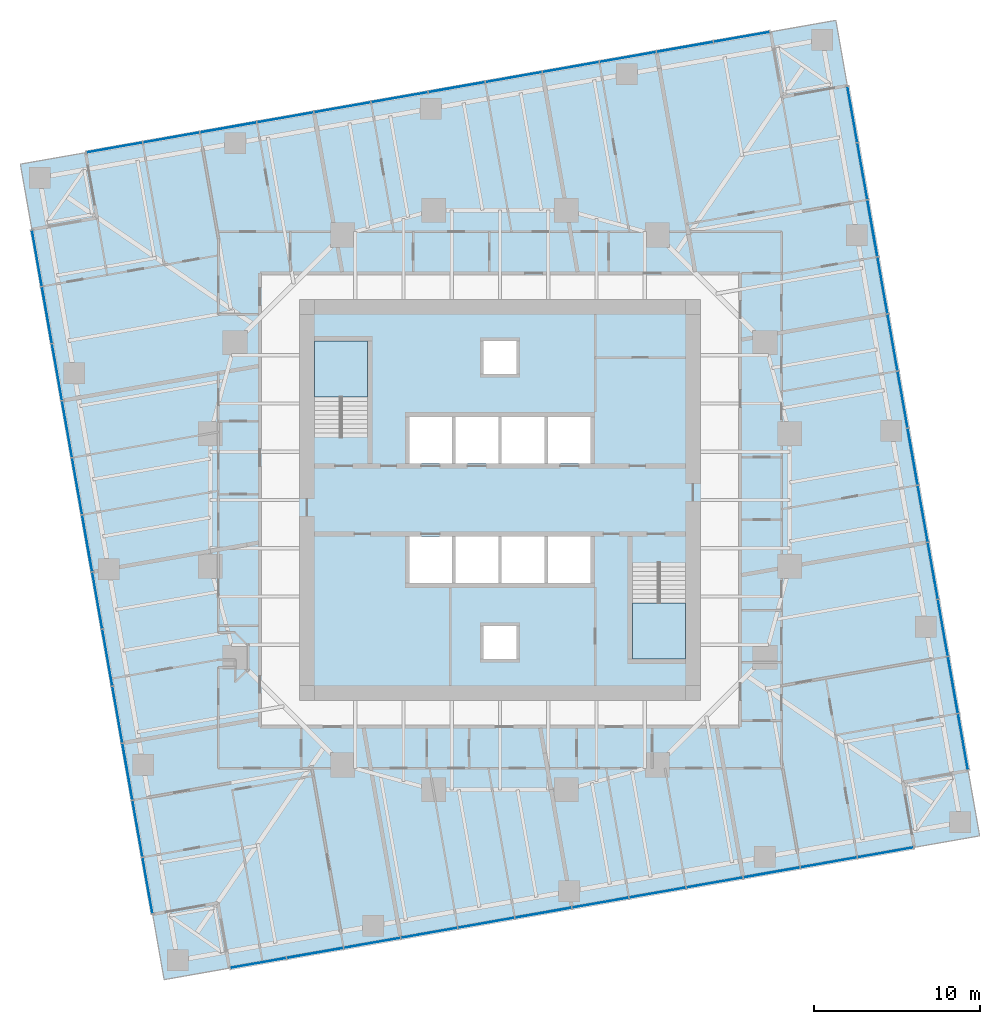
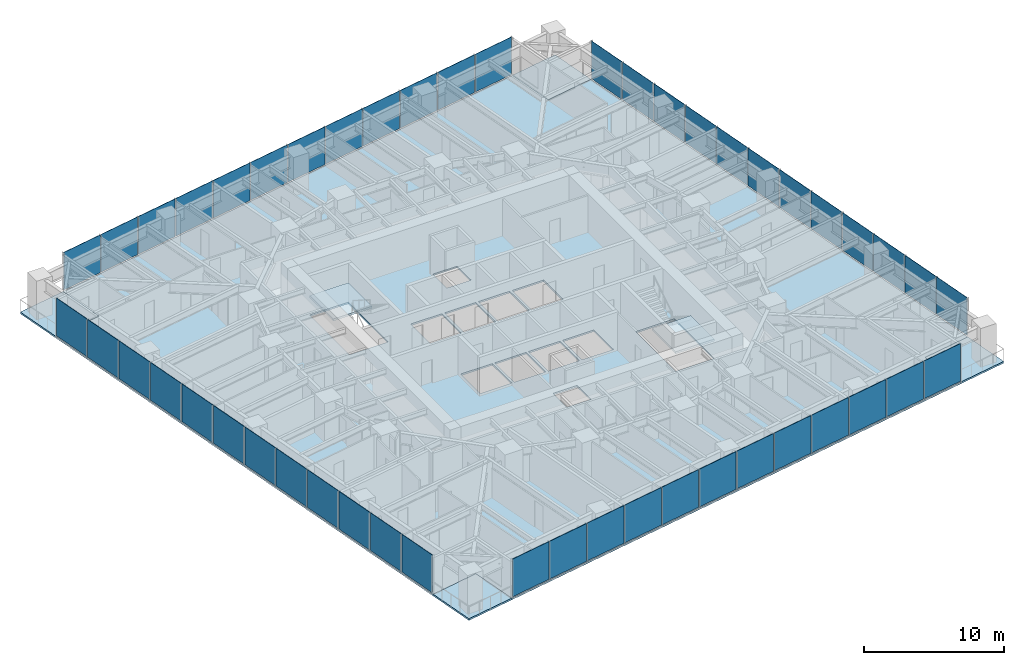
# One storey, part 7 of 14: 48 plates, 7 slabs, 6 elements without a shape of their own.
"""IFC4 building model written with IfcOpenShell, lengths in metres."""

from ifc_helpers import new_model, si_unit, direction, frame, origin, origin_2d, place, context, subcontext, project, spatial, polyline, rectangle, outline, extrude, material, layer, layer_set, type_object, element, aggregate, save


model = new_model("IFC4")

# Units and contexts
model_context = context("Model", 3, precision=1e-05, world=origin(), true_north=direction((0.0, 1.0)))
body_context = subcontext(model_context, "Body", "Model", "MODEL_VIEW")
ifc_project = project(units=[si_unit("LENGTHUNIT", "METRE"), si_unit("AREAUNIT", "SQUARE_METRE"), si_unit("VOLUMEUNIT", "CUBIC_METRE"), si_unit("PLANEANGLEUNIT", "RADIAN"), si_unit("MASSUNIT", "GRAM", prefix="KILO")], contexts=[model_context])

# Site, building, storey
site_placement = place(None, origin())
site = spatial("IfcSite", under=ifc_project, at=site_placement, CompositionType="ELEMENT")
building_placement = place(site_placement, origin())
building = spatial("IfcBuilding", under=site, at=building_placement, Name="Torsade Residences", CompositionType="ELEMENT")
storey_placement = place(building_placement, frame((0.0, 0.0, 96.39990234375)))
storey = spatial("IfcBuildingStorey", under=building, at=storey_placement, Name="L26", CompositionType="ELEMENT", Elevation=96.39990234375)

# Slab
ifc_material_1 = material(Name="Concrete 40 MPa", Category="concrete")
ifc_layer_1 = layer(ifc_material_1, 0.14990234375)
ifc_layer_set_1 = layer_set([ifc_layer_1], Name="Concrete 40 MPa")
slab_type_1 = type_object("IfcSlabType", Name="COMPOSITE FLOOR SLAB 150", PredefinedType="FLOOR", material=ifc_layer_set_1)
slab_1_placement = place(storey_placement, frame((0.0, 0.0, -0.14990234375)))
element("IfcSlab", 1, at=slab_1_placement, inside=storey, type_object=slab_type_1, Name="Floor slab L26", PredefinedType="FLOOR", context=body_context, shape_type="SweptSolid", body=[
    extrude(outline(polyline([(23.66015625, 1.733154296875), (65.022216796875, 9.0263671875), (64.32763671875, 12.965576171875), (68.266845703125, 13.66015625), (60.9736328125, 55.022216796875), (57.034423828125, 54.32763671875), (56.33984375, 58.266845703125), (14.977783203125, 50.9736328125), (15.67236328125, 47.034423828125), (11.733154296875, 46.33984375), (19.0263671875, 4.977783203125), (22.965576171875, 5.67236328125), (23.66015625, 1.733154296875)]), holes=[polyline([(51.199951171875, 20.39990234375), (51.199951171875, 26.1201171875), (48.0, 26.1201171875), (48.0, 20.39990234375), (51.199951171875, 20.39990234375)]), polyline([(45.5, 27.800048828125), (42.89990234375, 27.800048828125), (42.89990234375, 25.0), (45.5, 25.0), (45.5, 27.800048828125)]), polyline([(45.5, 32.199951171875), (45.5, 35.0), (42.89990234375, 35.0), (42.89990234375, 32.199951171875), (45.5, 32.199951171875)]), polyline([(42.699951171875, 25.0), (42.699951171875, 27.800048828125), (40.10009765625, 27.800048828125), (40.10009765625, 25.0), (42.699951171875, 25.0)]), polyline([(42.699951171875, 32.199951171875), (42.699951171875, 35.0), (40.10009765625, 35.0), (40.10009765625, 32.199951171875), (42.699951171875, 32.199951171875)]), polyline([(41.0, 22.39990234375), (39.0, 22.39990234375), (39.0, 20.39990234375), (41.0, 20.39990234375), (41.0, 22.39990234375)]), polyline([(41.0, 37.60009765625), (41.0, 39.60009765625), (39.0, 39.60009765625), (39.0, 37.60009765625), (41.0, 37.60009765625)]), polyline([(39.89990234375, 25.0), (39.89990234375, 27.800048828125), (37.300048828125, 27.800048828125), (37.300048828125, 25.0), (39.89990234375, 25.0)]), polyline([(39.89990234375, 35.0), (37.300048828125, 35.0), (37.300048828125, 32.199951171875), (39.89990234375, 32.199951171875), (39.89990234375, 35.0)]), polyline([(37.10009765625, 27.800048828125), (34.5, 27.800048828125), (34.5, 25.0), (37.10009765625, 25.0), (37.10009765625, 27.800048828125)]), polyline([(37.10009765625, 32.199951171875), (37.10009765625, 35.0), (34.5, 35.0), (34.5, 32.199951171875), (37.10009765625, 32.199951171875)]), polyline([(32.0, 33.8798828125), (32.0, 39.60009765625), (28.800048828125, 39.60009765625), (28.800048828125, 33.8798828125), (32.0, 33.8798828125)])]), origin(), (0.0, 0.0, 1.0), 0.14990234375),
])

# Curtain wall, plates
ifc_material_2 = material(Name="Aluminium and glass", Category="aluminium")
curtain_wall_type = type_object("IfcCurtainWallType", Name="FRITTED GLASS CURTAIN WALL LOW ZONE", PredefinedType="NOTDEFINED", material=ifc_material_2)
curtain_wall_1_placement = place(storey_placement, origin())
curtain_wall_1 = element("IfcCurtainWall", 2, at=curtain_wall_1_placement, inside=storey, type_object=curtain_wall_type, Name="Curtain wall L26 face 1", PredefinedType="NOTDEFINED")
ifc_material_3 = material(Name="Laminated glass", Category="glass")
ifc_layer_2 = layer(ifc_material_3, 0.031982421875)
ifc_layer_set_2 = layer_set([ifc_layer_2], Name="Laminated glass")
plate_type_1 = type_object("IfcPlateType", Name="FRITTED GLASS PANEL", PredefinedType="CURTAIN_PANEL", material=ifc_layer_set_2)
plate_1_placement = place(storey_placement, frame((25.399658203125, 2.039794921875, 0.10009765625), z_axis=(0.0, 0.0, 1.0), x_axis=(0.984807750372, 0.173648192638, 0.0)))
plate_1 = element("IfcPlate", 3, at=plate_1_placement, type_object=plate_type_1, Name="Panel 1", PredefinedType="CURTAIN_PANEL", context=body_context, shape_type="SweptSolid", body=[
    extrude(rectangle(XDim=3.402587890625, YDim=0.031982421875, at=origin_2d()), origin(), (0.0, 0.0, 1.0), 3.300048828125),
])
plate_2_placement = place(storey_placement, frame((32.27734375, 3.252685546875, 0.10009765625), z_axis=(0.0, 0.0, 1.0), x_axis=(0.984807750372, 0.173648192638, 0.0)))
plate_2 = element("IfcPlate", 4, at=plate_2_placement, type_object=plate_type_1, Name="Panel 3", PredefinedType="CURTAIN_PANEL", context=body_context, shape_type="SweptSolid", body=[
    extrude(rectangle(XDim=3.43505859375, YDim=0.031982421875, at=origin_2d()), origin(), (0.0, 0.0, 1.0), 3.300048828125),
])
plate_3_placement = place(storey_placement, frame((35.72412109375, 3.8603515625, 0.10009765625), z_axis=(0.0, 0.0, 1.0), x_axis=(0.984807750372, 0.173648192638, 0.0)))
plate_3 = element("IfcPlate", 5, at=plate_3_placement, type_object=plate_type_1, Name="Panel 4", PredefinedType="CURTAIN_PANEL", context=body_context, shape_type="SweptSolid", body=[
    extrude(rectangle(XDim=3.43505859375, YDim=0.031982421875, at=origin_2d()), origin(), (0.0, 0.0, 1.0), 3.300048828125),
])
plate_4_placement = place(storey_placement, frame((39.1708984375, 4.46826171875, 0.10009765625), z_axis=(0.0, 0.0, 1.0), x_axis=(0.984807750372, 0.173648192638, 0.0)))
plate_4 = element("IfcPlate", 6, at=plate_4_placement, type_object=plate_type_1, Name="Panel 5", PredefinedType="CURTAIN_PANEL", context=body_context, shape_type="SweptSolid", body=[
    extrude(rectangle(XDim=3.43505859375, YDim=0.031982421875, at=origin_2d()), origin(), (0.0, 0.0, 1.0), 3.300048828125),
])
plate_5_placement = place(storey_placement, frame((46.064697265625, 5.68359375, 0.10009765625), z_axis=(0.0, 0.0, 1.0), x_axis=(0.984807750372, 0.173648192638, 0.0)))
plate_5 = element("IfcPlate", 7, at=plate_5_placement, type_object=plate_type_1, Name="Panel 7", PredefinedType="CURTAIN_PANEL", context=body_context, shape_type="SweptSolid", body=[
    extrude(rectangle(XDim=3.43505859375, YDim=0.031982421875, at=origin_2d()), origin(), (0.0, 0.0, 1.0), 3.300048828125),
])
plate_6_placement = place(storey_placement, frame((49.511474609375, 6.29150390625, 0.10009765625), z_axis=(0.0, 0.0, 1.0), x_axis=(0.984807750372, 0.173648192638, 0.0)))
plate_6 = element("IfcPlate", 8, at=plate_6_placement, type_object=plate_type_1, Name="Panel 8", PredefinedType="CURTAIN_PANEL", context=body_context, shape_type="SweptSolid", body=[
    extrude(rectangle(XDim=3.43505859375, YDim=0.031982421875, at=origin_2d()), origin(), (0.0, 0.0, 1.0), 3.300048828125),
])
plate_7_placement = place(storey_placement, frame((52.958251953125, 6.899169921875, 0.10009765625), z_axis=(0.0, 0.0, 1.0), x_axis=(0.984807750372, 0.173648192638, 0.0)))
plate_7 = element("IfcPlate", 9, at=plate_7_placement, type_object=plate_type_1, Name="Panel 9", PredefinedType="CURTAIN_PANEL", context=body_context, shape_type="SweptSolid", body=[
    extrude(rectangle(XDim=3.43505859375, YDim=0.031982421875, at=origin_2d()), origin(), (0.0, 0.0, 1.0), 3.300048828125),
])
plate_8_placement = place(storey_placement, frame((59.851806640625, 8.11474609375, 0.10009765625), z_axis=(0.0, 0.0, 1.0), x_axis=(0.984807750372, 0.173648192638, 0.0)))
plate_8 = element("IfcPlate", 10, at=plate_8_placement, type_object=plate_type_1, Name="Panel 11", PredefinedType="CURTAIN_PANEL", context=body_context, shape_type="SweptSolid", body=[
    extrude(rectangle(XDim=3.43505859375, YDim=0.031982421875, at=origin_2d()), origin(), (0.0, 0.0, 1.0), 3.300048828125),
])
plate_9_placement = place(storey_placement, frame((63.28271484375, 8.7197265625, 0.10009765625), z_axis=(0.0, 0.0, 1.0), x_axis=(0.984807750372, 0.173648192638, 0.0)))
plate_9 = element("IfcPlate", 11, at=plate_9_placement, type_object=plate_type_1, Name="Panel 12", PredefinedType="CURTAIN_PANEL", context=body_context, shape_type="SweptSolid", body=[
    extrude(rectangle(XDim=3.402587890625, YDim=0.031982421875, at=origin_2d()), origin(), (0.0, 0.0, 1.0), 3.300048828125),
])

curtain_wall_2_placement = place(storey_placement, origin())
curtain_wall_2 = element("IfcCurtainWall", 12, at=curtain_wall_2_placement, inside=storey, type_object=curtain_wall_type, Name="Curtain wall L26 face 4", PredefinedType="NOTDEFINED")
plate_10_placement = place(storey_placement, frame((67.960205078125, 15.399658203125, 0.10009765625), z_axis=(0.0, 0.0, 1.0), x_axis=(-0.173648192638, 0.984807750372, 0.0)))
plate_10 = element("IfcPlate", 13, at=plate_10_placement, type_object=plate_type_1, Name="Panel 1", PredefinedType="CURTAIN_PANEL", context=body_context, shape_type="SweptSolid", body=[
    extrude(rectangle(XDim=3.402587890625, YDim=0.031982421875, at=origin_2d()), origin(), (0.0, 0.0, 1.0), 3.300048828125),
])
plate_11_placement = place(storey_placement, frame((66.747314453125, 22.27734375, 0.10009765625), z_axis=(0.0, 0.0, 1.0), x_axis=(-0.173648192638, 0.984807750372, 0.0)))
plate_11 = element("IfcPlate", 14, at=plate_11_placement, type_object=plate_type_1, Name="Panel 3", PredefinedType="CURTAIN_PANEL", context=body_context, shape_type="SweptSolid", body=[
    extrude(rectangle(XDim=3.43505859375, YDim=0.031982421875, at=origin_2d()), origin(), (0.0, 0.0, 1.0), 3.300048828125),
])
plate_12_placement = place(storey_placement, frame((66.1396484375, 25.72412109375, 0.10009765625), z_axis=(0.0, 0.0, 1.0), x_axis=(-0.173648192638, 0.984807750372, 0.0)))
plate_12 = element("IfcPlate", 15, at=plate_12_placement, type_object=plate_type_1, Name="Panel 4", PredefinedType="CURTAIN_PANEL", context=body_context, shape_type="SweptSolid", body=[
    extrude(rectangle(XDim=3.43505859375, YDim=0.031982421875, at=origin_2d()), origin(), (0.0, 0.0, 1.0), 3.300048828125),
])
plate_13_placement = place(storey_placement, frame((65.53173828125, 29.1708984375, 0.10009765625), z_axis=(0.0, 0.0, 1.0), x_axis=(-0.173648192638, 0.984807750372, 0.0)))
plate_13 = element("IfcPlate", 16, at=plate_13_placement, type_object=plate_type_1, Name="Panel 5", PredefinedType="CURTAIN_PANEL", context=body_context, shape_type="SweptSolid", body=[
    extrude(rectangle(XDim=3.43505859375, YDim=0.031982421875, at=origin_2d()), origin(), (0.0, 0.0, 1.0), 3.300048828125),
])
plate_14_placement = place(storey_placement, frame((64.31640625, 36.064697265625, 0.10009765625), z_axis=(0.0, 0.0, 1.0), x_axis=(-0.173648192638, 0.984807750372, 0.0)))
plate_14 = element("IfcPlate", 17, at=plate_14_placement, type_object=plate_type_1, Name="Panel 7", PredefinedType="CURTAIN_PANEL", context=body_context, shape_type="SweptSolid", body=[
    extrude(rectangle(XDim=3.43505859375, YDim=0.031982421875, at=origin_2d()), origin(), (0.0, 0.0, 1.0), 3.300048828125),
])
plate_15_placement = place(storey_placement, frame((63.70849609375, 39.511474609375, 0.10009765625), z_axis=(0.0, 0.0, 1.0), x_axis=(-0.173648192638, 0.984807750372, 0.0)))
plate_15 = element("IfcPlate", 18, at=plate_15_placement, type_object=plate_type_1, Name="Panel 8", PredefinedType="CURTAIN_PANEL", context=body_context, shape_type="SweptSolid", body=[
    extrude(rectangle(XDim=3.43505859375, YDim=0.031982421875, at=origin_2d()), origin(), (0.0, 0.0, 1.0), 3.300048828125),
])
plate_16_placement = place(storey_placement, frame((63.100830078125, 42.958251953125, 0.10009765625), z_axis=(0.0, 0.0, 1.0), x_axis=(-0.173648192638, 0.984807750372, 0.0)))
plate_16 = element("IfcPlate", 19, at=plate_16_placement, type_object=plate_type_1, Name="Panel 9", PredefinedType="CURTAIN_PANEL", context=body_context, shape_type="SweptSolid", body=[
    extrude(rectangle(XDim=3.43505859375, YDim=0.031982421875, at=origin_2d()), origin(), (0.0, 0.0, 1.0), 3.300048828125),
])
plate_17_placement = place(storey_placement, frame((61.88525390625, 49.851806640625, 0.10009765625), z_axis=(0.0, 0.0, 1.0), x_axis=(-0.173648192638, 0.984807750372, 0.0)))
plate_17 = element("IfcPlate", 20, at=plate_17_placement, type_object=plate_type_1, Name="Panel 11", PredefinedType="CURTAIN_PANEL", context=body_context, shape_type="SweptSolid", body=[
    extrude(rectangle(XDim=3.43505859375, YDim=0.031982421875, at=origin_2d()), origin(), (0.0, 0.0, 1.0), 3.300048828125),
])
plate_18_placement = place(storey_placement, frame((61.2802734375, 53.28271484375, 0.10009765625), z_axis=(0.0, 0.0, 1.0), x_axis=(-0.173648192638, 0.984807750372, 0.0)))
plate_18 = element("IfcPlate", 21, at=plate_18_placement, type_object=plate_type_1, Name="Panel 12", PredefinedType="CURTAIN_PANEL", context=body_context, shape_type="SweptSolid", body=[
    extrude(rectangle(XDim=3.402587890625, YDim=0.031982421875, at=origin_2d()), origin(), (0.0, 0.0, 1.0), 3.300048828125),
])

curtain_wall_3_placement = place(storey_placement, origin())
curtain_wall_3 = element("IfcCurtainWall", 22, at=curtain_wall_3_placement, inside=storey, type_object=curtain_wall_type, Name="Curtain wall L26 face 7", PredefinedType="NOTDEFINED")
plate_19_placement = place(storey_placement, frame((54.600341796875, 57.960205078125, 0.10009765625), z_axis=(0.0, 0.0, 1.0), x_axis=(-0.984807750372, -0.173648192638, 0.0)))
plate_19 = element("IfcPlate", 23, at=plate_19_placement, type_object=plate_type_1, Name="Panel 1", PredefinedType="CURTAIN_PANEL", context=body_context, shape_type="SweptSolid", body=[
    extrude(rectangle(XDim=3.402587890625, YDim=0.031982421875, at=origin_2d()), origin(), (0.0, 0.0, 1.0), 3.300048828125),
])
plate_20_placement = place(storey_placement, frame((47.72265625, 56.747314453125, 0.10009765625), z_axis=(0.0, 0.0, 1.0), x_axis=(-0.984807750372, -0.173648192638, 0.0)))
plate_20 = element("IfcPlate", 24, at=plate_20_placement, type_object=plate_type_1, Name="Panel 3", PredefinedType="CURTAIN_PANEL", context=body_context, shape_type="SweptSolid", body=[
    extrude(rectangle(XDim=3.43505859375, YDim=0.031982421875, at=origin_2d()), origin(), (0.0, 0.0, 1.0), 3.300048828125),
])
plate_21_placement = place(storey_placement, frame((44.27587890625, 56.1396484375, 0.10009765625), z_axis=(0.0, 0.0, 1.0), x_axis=(-0.984807750372, -0.173648192638, 0.0)))
plate_21 = element("IfcPlate", 25, at=plate_21_placement, type_object=plate_type_1, Name="Panel 4", PredefinedType="CURTAIN_PANEL", context=body_context, shape_type="SweptSolid", body=[
    extrude(rectangle(XDim=3.43505859375, YDim=0.031982421875, at=origin_2d()), origin(), (0.0, 0.0, 1.0), 3.300048828125),
])
plate_22_placement = place(storey_placement, frame((40.8291015625, 55.53173828125, 0.10009765625), z_axis=(0.0, 0.0, 1.0), x_axis=(-0.984807750372, -0.173648192638, 0.0)))
plate_22 = element("IfcPlate", 26, at=plate_22_placement, type_object=plate_type_1, Name="Panel 5", PredefinedType="CURTAIN_PANEL", context=body_context, shape_type="SweptSolid", body=[
    extrude(rectangle(XDim=3.43505859375, YDim=0.031982421875, at=origin_2d()), origin(), (0.0, 0.0, 1.0), 3.300048828125),
])
plate_23_placement = place(storey_placement, frame((33.935302734375, 54.31640625, 0.10009765625), z_axis=(0.0, 0.0, 1.0), x_axis=(-0.984807750372, -0.173648192638, 0.0)))
plate_23 = element("IfcPlate", 27, at=plate_23_placement, type_object=plate_type_1, Name="Panel 7", PredefinedType="CURTAIN_PANEL", context=body_context, shape_type="SweptSolid", body=[
    extrude(rectangle(XDim=3.43505859375, YDim=0.031982421875, at=origin_2d()), origin(), (0.0, 0.0, 1.0), 3.300048828125),
])
plate_24_placement = place(storey_placement, frame((30.488525390625, 53.70849609375, 0.10009765625), z_axis=(0.0, 0.0, 1.0), x_axis=(-0.984807750372, -0.173648192638, 0.0)))
plate_24 = element("IfcPlate", 28, at=plate_24_placement, type_object=plate_type_1, Name="Panel 8", PredefinedType="CURTAIN_PANEL", context=body_context, shape_type="SweptSolid", body=[
    extrude(rectangle(XDim=3.43505859375, YDim=0.031982421875, at=origin_2d()), origin(), (0.0, 0.0, 1.0), 3.300048828125),
])
plate_25_placement = place(storey_placement, frame((27.041748046875, 53.100830078125, 0.10009765625), z_axis=(0.0, 0.0, 1.0), x_axis=(-0.984807750372, -0.173648192638, 0.0)))
plate_25 = element("IfcPlate", 29, at=plate_25_placement, type_object=plate_type_1, Name="Panel 9", PredefinedType="CURTAIN_PANEL", context=body_context, shape_type="SweptSolid", body=[
    extrude(rectangle(XDim=3.43505859375, YDim=0.031982421875, at=origin_2d()), origin(), (0.0, 0.0, 1.0), 3.300048828125),
])
plate_26_placement = place(storey_placement, frame((20.148193359375, 51.88525390625, 0.10009765625), z_axis=(0.0, 0.0, 1.0), x_axis=(-0.984807750372, -0.173648192638, 0.0)))
plate_26 = element("IfcPlate", 30, at=plate_26_placement, type_object=plate_type_1, Name="Panel 11", PredefinedType="CURTAIN_PANEL", context=body_context, shape_type="SweptSolid", body=[
    extrude(rectangle(XDim=3.43505859375, YDim=0.031982421875, at=origin_2d()), origin(), (0.0, 0.0, 1.0), 3.300048828125),
])
plate_27_placement = place(storey_placement, frame((16.71728515625, 51.2802734375, 0.10009765625), z_axis=(0.0, 0.0, 1.0), x_axis=(-0.984807750372, -0.173648192638, 0.0)))
plate_27 = element("IfcPlate", 31, at=plate_27_placement, type_object=plate_type_1, Name="Panel 12", PredefinedType="CURTAIN_PANEL", context=body_context, shape_type="SweptSolid", body=[
    extrude(rectangle(XDim=3.402587890625, YDim=0.031982421875, at=origin_2d()), origin(), (0.0, 0.0, 1.0), 3.300048828125),
])

curtain_wall_4_placement = place(storey_placement, origin())
curtain_wall_4 = element("IfcCurtainWall", 32, at=curtain_wall_4_placement, inside=storey, type_object=curtain_wall_type, Name="Curtain wall L26 face 10", PredefinedType="NOTDEFINED")
plate_28_placement = place(storey_placement, frame((12.039794921875, 44.600341796875, 0.10009765625), z_axis=(0.0, 0.0, 1.0), x_axis=(0.173648192638, -0.984807750372, 0.0)))
plate_28 = element("IfcPlate", 33, at=plate_28_placement, type_object=plate_type_1, Name="Panel 1", PredefinedType="CURTAIN_PANEL", context=body_context, shape_type="SweptSolid", body=[
    extrude(rectangle(XDim=3.402587890625, YDim=0.031982421875, at=origin_2d()), origin(), (0.0, 0.0, 1.0), 3.300048828125),
])
plate_29_placement = place(storey_placement, frame((13.252685546875, 37.72265625, 0.10009765625), z_axis=(0.0, 0.0, 1.0), x_axis=(0.173648192638, -0.984807750372, 0.0)))
plate_29 = element("IfcPlate", 34, at=plate_29_placement, type_object=plate_type_1, Name="Panel 3", PredefinedType="CURTAIN_PANEL", context=body_context, shape_type="SweptSolid", body=[
    extrude(rectangle(XDim=3.43505859375, YDim=0.031982421875, at=origin_2d()), origin(), (0.0, 0.0, 1.0), 3.300048828125),
])
plate_30_placement = place(storey_placement, frame((13.8603515625, 34.27587890625, 0.10009765625), z_axis=(0.0, 0.0, 1.0), x_axis=(0.173648192638, -0.984807750372, 0.0)))
plate_30 = element("IfcPlate", 35, at=plate_30_placement, type_object=plate_type_1, Name="Panel 4", PredefinedType="CURTAIN_PANEL", context=body_context, shape_type="SweptSolid", body=[
    extrude(rectangle(XDim=3.43505859375, YDim=0.031982421875, at=origin_2d()), origin(), (0.0, 0.0, 1.0), 3.300048828125),
])
plate_31_placement = place(storey_placement, frame((14.46826171875, 30.8291015625, 0.10009765625), z_axis=(0.0, 0.0, 1.0), x_axis=(0.173648192638, -0.984807750372, 0.0)))
plate_31 = element("IfcPlate", 36, at=plate_31_placement, type_object=plate_type_1, Name="Panel 5", PredefinedType="CURTAIN_PANEL", context=body_context, shape_type="SweptSolid", body=[
    extrude(rectangle(XDim=3.43505859375, YDim=0.031982421875, at=origin_2d()), origin(), (0.0, 0.0, 1.0), 3.300048828125),
])
plate_32_placement = place(storey_placement, frame((15.68359375, 23.935302734375, 0.10009765625), z_axis=(0.0, 0.0, 1.0), x_axis=(0.173648192638, -0.984807750372, 0.0)))
plate_32 = element("IfcPlate", 37, at=plate_32_placement, type_object=plate_type_1, Name="Panel 7", PredefinedType="CURTAIN_PANEL", context=body_context, shape_type="SweptSolid", body=[
    extrude(rectangle(XDim=3.43505859375, YDim=0.031982421875, at=origin_2d()), origin(), (0.0, 0.0, 1.0), 3.300048828125),
])
plate_33_placement = place(storey_placement, frame((16.29150390625, 20.488525390625, 0.10009765625), z_axis=(0.0, 0.0, 1.0), x_axis=(0.173648192638, -0.984807750372, 0.0)))
plate_33 = element("IfcPlate", 38, at=plate_33_placement, type_object=plate_type_1, Name="Panel 8", PredefinedType="CURTAIN_PANEL", context=body_context, shape_type="SweptSolid", body=[
    extrude(rectangle(XDim=3.43505859375, YDim=0.031982421875, at=origin_2d()), origin(), (0.0, 0.0, 1.0), 3.300048828125),
])
plate_34_placement = place(storey_placement, frame((16.899169921875, 17.041748046875, 0.10009765625), z_axis=(0.0, 0.0, 1.0), x_axis=(0.173648192638, -0.984807750372, 0.0)))
plate_34 = element("IfcPlate", 39, at=plate_34_placement, type_object=plate_type_1, Name="Panel 9", PredefinedType="CURTAIN_PANEL", context=body_context, shape_type="SweptSolid", body=[
    extrude(rectangle(XDim=3.43505859375, YDim=0.031982421875, at=origin_2d()), origin(), (0.0, 0.0, 1.0), 3.300048828125),
])
plate_35_placement = place(storey_placement, frame((18.11474609375, 10.148193359375, 0.10009765625), z_axis=(0.0, 0.0, 1.0), x_axis=(0.173648192638, -0.984807750372, 0.0)))
plate_35 = element("IfcPlate", 40, at=plate_35_placement, type_object=plate_type_1, Name="Panel 11", PredefinedType="CURTAIN_PANEL", context=body_context, shape_type="SweptSolid", body=[
    extrude(rectangle(XDim=3.43505859375, YDim=0.031982421875, at=origin_2d()), origin(), (0.0, 0.0, 1.0), 3.300048828125),
])
plate_36_placement = place(storey_placement, frame((18.7197265625, 6.71728515625, 0.10009765625), z_axis=(0.0, 0.0, 1.0), x_axis=(0.173648192638, -0.984807750372, 0.0)))
plate_36 = element("IfcPlate", 41, at=plate_36_placement, type_object=plate_type_1, Name="Panel 12", PredefinedType="CURTAIN_PANEL", context=body_context, shape_type="SweptSolid", body=[
    extrude(rectangle(XDim=3.402587890625, YDim=0.031982421875, at=origin_2d()), origin(), (0.0, 0.0, 1.0), 3.300048828125),
])

# Plate
ifc_material_4 = material(Name="Laminated glass", Category="glass")
ifc_layer_3 = layer(ifc_material_4, 0.0400390625)
ifc_layer_set_3 = layer_set([ifc_layer_3], Name="Laminated glass")
plate_type_2 = type_object("IfcPlateType", Name="OPERABLE VENT PANEL", PredefinedType="CURTAIN_PANEL", material=ifc_layer_set_3)
plate_37_placement = place(storey_placement, frame((28.83056640625, 2.644775390625, 0.10009765625), z_axis=(0.0, 0.0, 1.0), x_axis=(0.984807750372, 0.173648192638, 0.0)))
plate_37 = element("IfcPlate", 42, at=plate_37_placement, type_object=plate_type_2, Name="Panel 2", PredefinedType="CURTAIN_PANEL", context=body_context, shape_type="SweptSolid", body=[
    extrude(rectangle(XDim=3.43505859375, YDim=0.0400390625, at=origin_2d()), origin(), (0.0, 0.0, 1.0), 3.300048828125),
])

plate_38_placement = place(storey_placement, frame((42.61767578125, 5.075927734375, 0.10009765625), z_axis=(0.0, 0.0, 1.0), x_axis=(0.984807750372, 0.173648192638, 0.0)))
plate_38 = element("IfcPlate", 43, at=plate_38_placement, type_object=plate_type_2, Name="Panel 6", PredefinedType="CURTAIN_PANEL", context=body_context, shape_type="SweptSolid", body=[
    extrude(rectangle(XDim=3.43505859375, YDim=0.0400390625, at=origin_2d()), origin(), (0.0, 0.0, 1.0), 3.300048828125),
])

plate_39_placement = place(storey_placement, frame((56.405029296875, 7.507080078125, 0.10009765625), z_axis=(0.0, 0.0, 1.0), x_axis=(0.984807750372, 0.173648192638, 0.0)))
plate_39 = element("IfcPlate", 44, at=plate_39_placement, type_object=plate_type_2, Name="Panel 10", PredefinedType="CURTAIN_PANEL", context=body_context, shape_type="SweptSolid", body=[
    extrude(rectangle(XDim=3.43505859375, YDim=0.0400390625, at=origin_2d()), origin(), (0.0, 0.0, 1.0), 3.300048828125),
])

aggregate(curtain_wall_1, [plate_1, plate_37, plate_2, plate_3, plate_4, plate_38, plate_5, plate_6, plate_7, plate_39, plate_8, plate_9])

plate_40_placement = place(storey_placement, frame((67.355224609375, 18.83056640625, 0.10009765625), z_axis=(0.0, 0.0, 1.0), x_axis=(-0.173648192638, 0.984807750372, 0.0)))
plate_40 = element("IfcPlate", 45, at=plate_40_placement, type_object=plate_type_2, Name="Panel 2", PredefinedType="CURTAIN_PANEL", context=body_context, shape_type="SweptSolid", body=[
    extrude(rectangle(XDim=3.43505859375, YDim=0.0400390625, at=origin_2d()), origin(), (0.0, 0.0, 1.0), 3.300048828125),
])

plate_41_placement = place(storey_placement, frame((64.924072265625, 32.61767578125, 0.10009765625), z_axis=(0.0, 0.0, 1.0), x_axis=(-0.173648192638, 0.984807750372, 0.0)))
plate_41 = element("IfcPlate", 46, at=plate_41_placement, type_object=plate_type_2, Name="Panel 6", PredefinedType="CURTAIN_PANEL", context=body_context, shape_type="SweptSolid", body=[
    extrude(rectangle(XDim=3.43505859375, YDim=0.0400390625, at=origin_2d()), origin(), (0.0, 0.0, 1.0), 3.300048828125),
])

plate_42_placement = place(storey_placement, frame((62.492919921875, 46.405029296875, 0.10009765625), z_axis=(0.0, 0.0, 1.0), x_axis=(-0.173648192638, 0.984807750372, 0.0)))
plate_42 = element("IfcPlate", 47, at=plate_42_placement, type_object=plate_type_2, Name="Panel 10", PredefinedType="CURTAIN_PANEL", context=body_context, shape_type="SweptSolid", body=[
    extrude(rectangle(XDim=3.43505859375, YDim=0.0400390625, at=origin_2d()), origin(), (0.0, 0.0, 1.0), 3.300048828125),
])

aggregate(curtain_wall_2, [plate_10, plate_40, plate_11, plate_12, plate_13, plate_41, plate_14, plate_15, plate_16, plate_42, plate_17, plate_18])

plate_43_placement = place(storey_placement, frame((51.16943359375, 57.355224609375, 0.10009765625), z_axis=(0.0, 0.0, 1.0), x_axis=(-0.984807750372, -0.173648192638, 0.0)))
plate_43 = element("IfcPlate", 48, at=plate_43_placement, type_object=plate_type_2, Name="Panel 2", PredefinedType="CURTAIN_PANEL", context=body_context, shape_type="SweptSolid", body=[
    extrude(rectangle(XDim=3.43505859375, YDim=0.0400390625, at=origin_2d()), origin(), (0.0, 0.0, 1.0), 3.300048828125),
])

plate_44_placement = place(storey_placement, frame((37.38232421875, 54.924072265625, 0.10009765625), z_axis=(0.0, 0.0, 1.0), x_axis=(-0.984807750372, -0.173648192638, 0.0)))
plate_44 = element("IfcPlate", 49, at=plate_44_placement, type_object=plate_type_2, Name="Panel 6", PredefinedType="CURTAIN_PANEL", context=body_context, shape_type="SweptSolid", body=[
    extrude(rectangle(XDim=3.43505859375, YDim=0.0400390625, at=origin_2d()), origin(), (0.0, 0.0, 1.0), 3.300048828125),
])

plate_45_placement = place(storey_placement, frame((23.594970703125, 52.492919921875, 0.10009765625), z_axis=(0.0, 0.0, 1.0), x_axis=(-0.984807750372, -0.173648192638, 0.0)))
plate_45 = element("IfcPlate", 50, at=plate_45_placement, type_object=plate_type_2, Name="Panel 10", PredefinedType="CURTAIN_PANEL", context=body_context, shape_type="SweptSolid", body=[
    extrude(rectangle(XDim=3.43505859375, YDim=0.0400390625, at=origin_2d()), origin(), (0.0, 0.0, 1.0), 3.300048828125),
])

aggregate(curtain_wall_3, [plate_19, plate_43, plate_20, plate_21, plate_22, plate_44, plate_23, plate_24, plate_25, plate_45, plate_26, plate_27])

plate_46_placement = place(storey_placement, frame((12.644775390625, 41.16943359375, 0.10009765625), z_axis=(0.0, 0.0, 1.0), x_axis=(0.173648192638, -0.984807750372, 0.0)))
plate_46 = element("IfcPlate", 51, at=plate_46_placement, type_object=plate_type_2, Name="Panel 2", PredefinedType="CURTAIN_PANEL", context=body_context, shape_type="SweptSolid", body=[
    extrude(rectangle(XDim=3.43505859375, YDim=0.0400390625, at=origin_2d()), origin(), (0.0, 0.0, 1.0), 3.300048828125),
])

plate_47_placement = place(storey_placement, frame((15.075927734375, 27.38232421875, 0.10009765625), z_axis=(0.0, 0.0, 1.0), x_axis=(0.173648192638, -0.984807750372, 0.0)))
plate_47 = element("IfcPlate", 52, at=plate_47_placement, type_object=plate_type_2, Name="Panel 6", PredefinedType="CURTAIN_PANEL", context=body_context, shape_type="SweptSolid", body=[
    extrude(rectangle(XDim=3.43505859375, YDim=0.0400390625, at=origin_2d()), origin(), (0.0, 0.0, 1.0), 3.300048828125),
])

plate_48_placement = place(storey_placement, frame((17.507080078125, 13.594970703125, 0.10009765625), z_axis=(0.0, 0.0, 1.0), x_axis=(0.173648192638, -0.984807750372, 0.0)))
plate_48 = element("IfcPlate", 53, at=plate_48_placement, type_object=plate_type_2, Name="Panel 10", PredefinedType="CURTAIN_PANEL", context=body_context, shape_type="SweptSolid", body=[
    extrude(rectangle(XDim=3.43505859375, YDim=0.0400390625, at=origin_2d()), origin(), (0.0, 0.0, 1.0), 3.300048828125),
])

aggregate(curtain_wall_4, [plate_28, plate_46, plate_29, plate_30, plate_31, plate_47, plate_32, plate_33, plate_34, plate_48, plate_35, plate_36])

# Stair, slab
ifc_material_5 = material(Name="Precast concrete 40 MPa", Category="concrete")
stair_type = type_object("IfcStairType", Name="HALF-TURN FIRE STAIR 1500x3400", PredefinedType="HALF_TURN_STAIR", material=ifc_material_5)
stair_1_placement = place(storey_placement, origin())
stair_1 = element("IfcStair", 54, at=stair_1_placement, inside=storey, type_object=stair_type, Name="Stair ST1 L26", PredefinedType="HALF_TURN_STAIR")
ifc_material_6 = material(Name="Precast concrete 40 MPa", Category="concrete")
ifc_layer_4 = layer(ifc_material_6, 0.179931640625)
ifc_layer_set_4 = layer_set([ifc_layer_4], Name="Precast concrete 40 MPa")
slab_type_2 = type_object("IfcSlabType", Name="PRECAST STAIR LANDING 180", PredefinedType="LANDING", material=ifc_layer_set_4)
slab_2_placement = place(storey_placement, frame((0.0, 0.0, 1.52001953125)))
slab_2 = element("IfcSlab", 55, at=slab_2_placement, type_object=slab_type_2, Name="ST1 landing 1", PredefinedType="LANDING", context=body_context, shape_type="SweptSolid", body=[
    extrude(outline(polyline([(28.800048828125, 36.2099609375), (32.0, 36.2099609375), (32.0, 39.60009765625), (28.800048828125, 39.60009765625), (28.800048828125, 36.2099609375)])), origin(), (0.0, 0.0, 1.0), 0.18017578125),
])
aggregate(stair_1, [slab_2])

stair_2_placement = place(storey_placement, origin())
stair_2 = element("IfcStair", 56, at=stair_2_placement, inside=storey, type_object=stair_type, Name="Stair ST2 L26", PredefinedType="HALF_TURN_STAIR")
slab_3_placement = place(storey_placement, frame((0.0, 0.0, 1.52001953125)))
slab_3 = element("IfcSlab", 57, at=slab_3_placement, type_object=slab_type_2, Name="ST2 landing 1", PredefinedType="LANDING", context=body_context, shape_type="SweptSolid", body=[
    extrude(outline(polyline([(48.0, 20.39990234375), (51.199951171875, 20.39990234375), (51.199951171875, 23.7900390625), (48.0, 23.7900390625), (48.0, 20.39990234375)])), origin(), (0.0, 0.0, 1.0), 0.18017578125),
])
aggregate(stair_2, [slab_3])

# Slabs
ifc_material_7 = material(Name="Concrete 40 MPa", Category="concrete")
ifc_layer_5 = layer(ifc_material_7, 0.14990234375)
ifc_layer_set_5 = layer_set([ifc_layer_5], Name="Concrete 40 MPa")
slab_type_3 = type_object("IfcSlabType", Name="TERRACE SLAB 150", PredefinedType="FLOOR", material=ifc_layer_set_5)
slab_4_placement = place(storey_placement, frame((0.0, 0.0, -0.14990234375)))
element("IfcSlab", 58, at=slab_4_placement, inside=storey, type_object=slab_type_3, Name="Corner terrace slab SE L26", PredefinedType="FLOOR", context=body_context, shape_type="SweptSolid", body=[
    extrude(outline(polyline([(65.022216796875, 9.0263671875), (68.96142578125, 9.720947265625), (68.266845703125, 13.66015625), (64.32763671875, 12.965576171875), (65.022216796875, 9.0263671875)])), origin(), (0.0, 0.0, 1.0), 0.14990234375),
])
slab_5_placement = place(storey_placement, frame((0.0, 0.0, -0.14990234375)))
element("IfcSlab", 59, at=slab_5_placement, inside=storey, type_object=slab_type_3, Name="Corner terrace slab NE L26", PredefinedType="FLOOR", context=body_context, shape_type="SweptSolid", body=[
    extrude(outline(polyline([(57.034423828125, 54.32763671875), (60.9736328125, 55.022216796875), (60.279052734375, 58.96142578125), (56.33984375, 58.266845703125), (57.034423828125, 54.32763671875)])), origin(), (0.0, 0.0, 1.0), 0.14990234375),
])
slab_6_placement = place(storey_placement, frame((0.0, 0.0, -0.14990234375)))
element("IfcSlab", 60, at=slab_6_placement, inside=storey, type_object=slab_type_3, Name="Corner terrace slab NW L26", PredefinedType="FLOOR", context=body_context, shape_type="SweptSolid", body=[
    extrude(outline(polyline([(11.733154296875, 46.33984375), (15.67236328125, 47.034423828125), (14.977783203125, 50.9736328125), (11.03857421875, 50.279052734375), (11.733154296875, 46.33984375)])), origin(), (0.0, 0.0, 1.0), 0.14990234375),
])
slab_7_placement = place(storey_placement, frame((0.0, 0.0, -0.14990234375)))
element("IfcSlab", 61, at=slab_7_placement, inside=storey, type_object=slab_type_3, Name="Corner terrace slab SW L26", PredefinedType="FLOOR", context=body_context, shape_type="SweptSolid", body=[
    extrude(outline(polyline([(19.720947265625, 1.03857421875), (23.66015625, 1.733154296875), (22.965576171875, 5.67236328125), (19.0263671875, 4.977783203125), (19.720947265625, 1.03857421875)])), origin(), (0.0, 0.0, 1.0), 0.14990234375),
])

save(model, "model.ifc")
